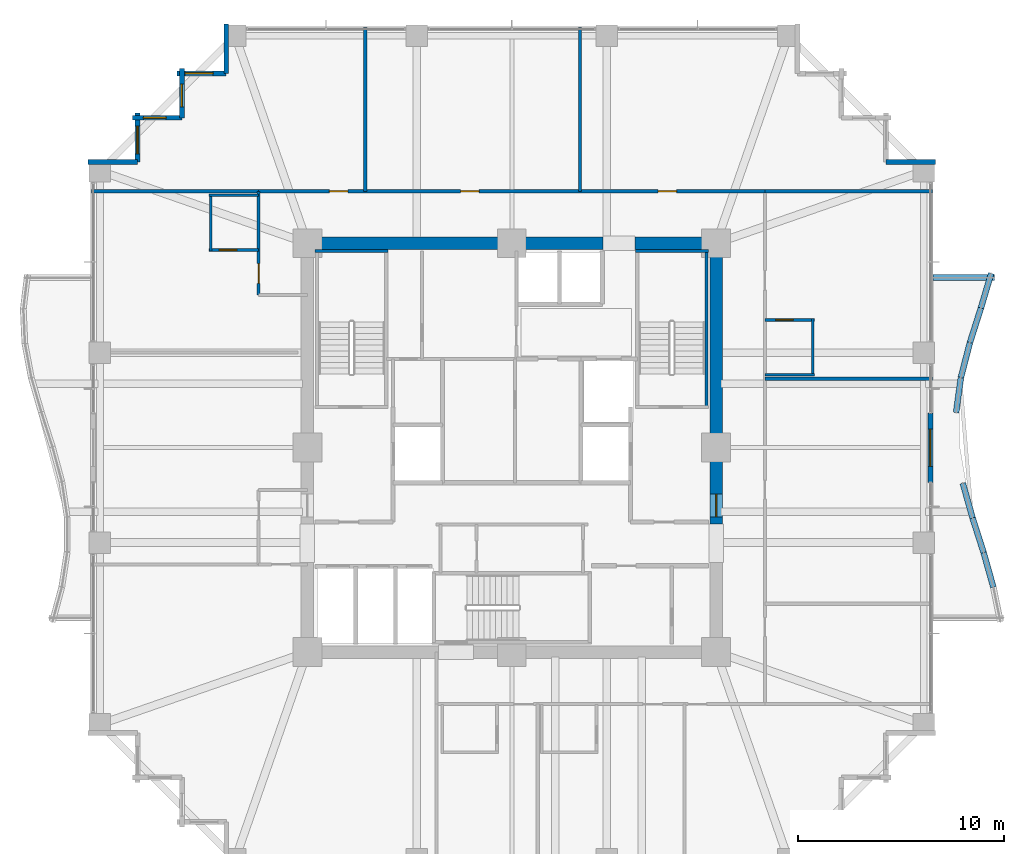
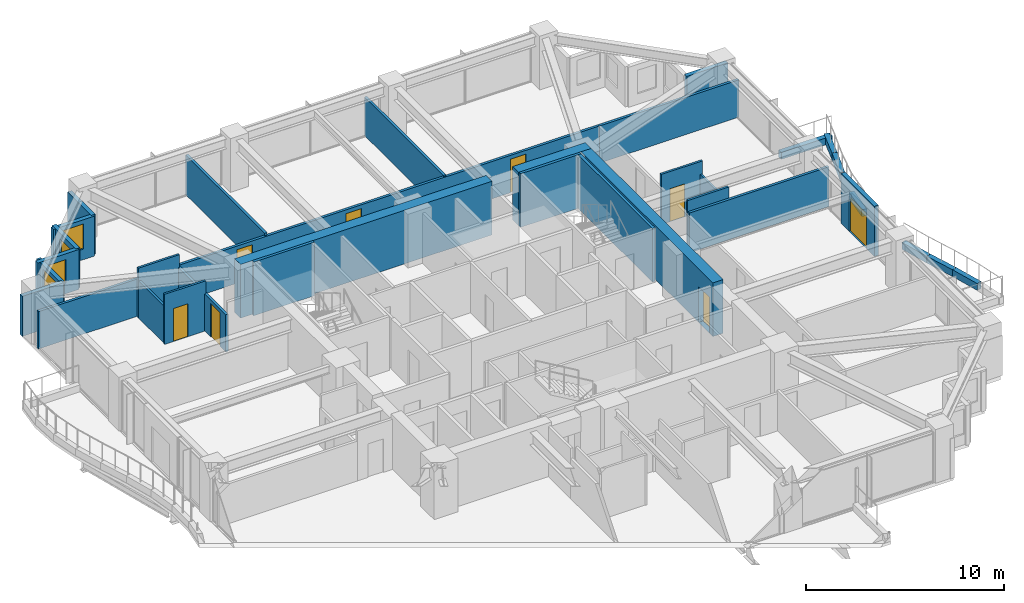
# One storey, part 34 of 38: 35 walls, 8 doors, 4 windows, 12 openings.
"""IFC4 building model written with IfcOpenShell, lengths in metres."""

from ifc_helpers import new_model, si_unit, direction, frame, frame_2d, origin, place, context, subcontext, project, spatial, rectangle, extrude, material, layer, layer_set, type_object, element, fill, save


model = new_model("IFC4")

# Units and contexts
model_context = context("Model", 3, precision=1e-05, world=origin(), true_north=direction((0.0, 1.0)))
body_context = subcontext(model_context, "Body", "Model", "MODEL_VIEW")
ifc_project = project(units=[si_unit("LENGTHUNIT", "METRE"), si_unit("AREAUNIT", "SQUARE_METRE"), si_unit("VOLUMEUNIT", "CUBIC_METRE"), si_unit("PLANEANGLEUNIT", "RADIAN"), si_unit("MASSUNIT", "GRAM", prefix="KILO")], contexts=[model_context])

# Site, building, storey
site_placement = place(None, origin())
site = spatial("IfcSite", under=ifc_project, at=site_placement, CompositionType="ELEMENT")
building_placement = place(site_placement, origin())
building = spatial("IfcBuilding", under=site, at=building_placement, Name="Kolvaren Belvedere", CompositionType="ELEMENT")
storey_placement = place(building_placement, frame((0.0, 0.0, 101.89990234375)))
storey = spatial("IfcBuildingStorey", under=building, at=storey_placement, Name="L29", CompositionType="ELEMENT", Elevation=101.89990234375)

# Walls
ifc_material_1 = material(Name="Concrete C60/75", Category="concrete")
ifc_layer_1 = layer(ifc_material_1, 0.60009765625)
ifc_layer_set_1 = layer_set([ifc_layer_1], Name="Concrete C60/75")
wall_type_1 = type_object("IfcWallType", Name="CW-CORE-600", PredefinedType="SHEAR", material=ifc_layer_set_1)
wall_1_placement = place(storey_placement, frame((-10.199951171875, 9.89990234375, 0.0), z_axis=(0.0, 0.0, 1.0), x_axis=(1.0, 0.0, 0.0)))
element("IfcWall", 1, at=wall_1_placement, inside=storey, type_object=wall_type_1, Name="L29 North Core Shear Wall 1", PredefinedType="SHEAR", context=body_context, shape_type="SweptSolid", body=[
    extrude(rectangle(XDim=14.619873046875, YDim=0.60009765625, at=frame_2d((7.31005859375, 0.0))), origin(), (0.0, 0.0, 1.0), 3.300048828125),
])
wall_2_placement = place(storey_placement, frame((5.97998046875, 9.89990234375, 0.0), z_axis=(0.0, 0.0, 1.0), x_axis=(1.0, 0.0, 0.0)))
element("IfcWall", 2, at=wall_2_placement, inside=storey, type_object=wall_type_1, Name="L29 North Core Shear Wall 2", PredefinedType="SHEAR", context=body_context, shape_type="SweptSolid", body=[
    extrude(rectangle(XDim=4.219970703125, YDim=0.60009765625, at=frame_2d((2.10986328125, 0.0))), origin(), (0.0, 0.0, 1.0), 3.300048828125),
])

# Wall, opening, door
wall_3_placement = place(storey_placement, frame((9.89990234375, -3.699951171875, 0.0), z_axis=(0.0, 0.0, 1.0), x_axis=(0.0, 1.0, 0.0)))
wall_3 = element("IfcWall", 3, at=wall_3_placement, inside=storey, type_object=wall_type_1, Name="L29 East Core Shear Wall 2", PredefinedType="SHEAR", context=body_context, shape_type="SweptSolid", body=[
    extrude(rectangle(XDim=13.300048828125, YDim=0.60009765625, at=frame_2d((6.64990234375, 0.0))), origin(), (0.0, 0.0, 1.0), 3.300048828125),
])
opening_1_placement = place(wall_3_placement, frame((0.35009765625, 0.0, 0.0)))
opening_1 = element("IfcOpeningElement", 4, at=opening_1_placement, cuts=wall_3, Name="Opening D-FD90", PredefinedType="OPENING", context=body_context, shape_type="SweptSolid", body=[
    extrude(rectangle(XDim=1.10009765625, YDim=2.199951171875, at=frame_2d((0.550048828125, 1.10009765625))), frame((0.0, 0.31005859375, 0.0), z_axis=(0.0, -1.0, 0.0), x_axis=(1.0, 0.0, 0.0)), (0.0, 0.0, 1.0), 0.6201171875),
])
ifc_material_2 = material(Name="Painted hollow stainless steel", Category="steel")
door_type_1 = type_object("IfcDoorType", Name="DR-FD90-1100", OperationType="NOTDEFINED", PredefinedType="DOOR", material=ifc_material_2)
door_1_placement = place(opening_1_placement, origin())
door_1 = element("IfcDoor", 5, at=door_1_placement, inside=storey, type_object=door_type_1, Name="L29 East Firefighting Lobby Fire Door", OperationType="SINGLE_SWING_RIGHT", OverallHeight=2.199951171875, OverallWidth=1.10009765625, PredefinedType="DOOR", context=body_context, shape_type="SweptSolid", body=[
    extrude(rectangle(XDim=1.10009765625, YDim=2.199951171875, at=frame_2d((0.550048828125, 1.10009765625))), frame((0.0, 0.02490234375, 0.0), z_axis=(0.0, -1.0, 0.0), x_axis=(1.0, 0.0, 0.0)), (0.0, 0.0, 1.0), 0.050048828125),
])
fill(opening_1, door_1)

# Walls
ifc_material_3 = material(Name="Concrete C50/60", Category="concrete")
ifc_layer_2 = layer(ifc_material_3, 0.159912109375)
ifc_layer_set_2 = layer_set([ifc_layer_2], Name="Concrete C50/60")
wall_type_2 = type_object("IfcWallType", Name="CW-STAIR-160", PredefinedType="SHEAR", material=ifc_layer_set_2)
for number, where, z_axis, x_axis, name in (
    (6, (-9.52001953125, 9.530029296875, 0.0), (0.0, 0.0, 1.0), (1.0, 0.0, 0.0), "L29 Stair ST-1 North Shear Wall"),
    (7, (6.0, 9.530029296875, 0.0), (0.0, 0.0, 1.0), (1.0, 0.0, 0.0), "L29 Stair ST-2 North Shear Wall"),
):
    element("IfcWall", number, at=place(storey_placement, frame(where, z_axis=z_axis, x_axis=x_axis)), inside=storey, type_object=wall_type_2, Name=name, PredefinedType="SHEAR", context=body_context, shape_type="SweptSolid", body=[
        extrude(rectangle(XDim=3.52001953125, YDim=0.159912109375, at=frame_2d((1.760009765625, 0.0))), origin(), (0.0, 0.0, 1.0), 3.300048828125),
    ])
wall_4_placement = place(storey_placement, frame((9.429931640625, 1.969970703125, 0.0), z_axis=(0.0, 0.0, 1.0), x_axis=(0.0, 1.0, 0.0)))
element("IfcWall", 8, at=wall_4_placement, inside=storey, type_object=wall_type_2, Name="L29 Stair ST-2 East Shear Wall", PredefinedType="SHEAR", context=body_context, shape_type="SweptSolid", body=[
    extrude(rectangle(XDim=7.56005859375, YDim=0.159912109375, at=frame_2d((3.780029296875, 0.0))), origin(), (0.0, 0.0, 1.0), 3.300048828125),
])

# Wall, openings, doors
ifc_material_4 = material(Name="Gypsum fire-rated partition assembly", Category="gypsum")
ifc_layer_3 = layer(ifc_material_4, 0.14990234375)
ifc_layer_set_3 = layer_set([ifc_layer_3], Name="Gypsum fire-rated partition assembly")
wall_type_3 = type_object("IfcWallType", Name="WL-CORR-150", PredefinedType="PARTITIONING", material=ifc_layer_set_3)
wall_5_placement = place(storey_placement, frame((-12.260009765625, 12.419921875, 0.0), z_axis=(0.0, 0.0, 1.0), x_axis=(1.0, 0.0, 0.0)))
wall_5 = element("IfcWall", 9, at=wall_5_placement, inside=storey, type_object=wall_type_3, Name="L29 North Corridor Wall", PredefinedType="PARTITIONING", context=body_context, shape_type="SweptSolid", body=[
    extrude(rectangle(XDim=24.52001953125, YDim=0.14990234375, at=frame_2d((12.260009765625, 0.0))), origin(), (0.0, 0.0, 1.0), 2.2919921875),
])
opening_2_placement = place(wall_5_placement, frame((3.427001953125, 0.0, 0.0)))
opening_2 = element("IfcOpeningElement", 10, at=opening_2_placement, cuts=wall_5, Name="Opening D-INT90", PredefinedType="OPENING", context=body_context, shape_type="SweptSolid", body=[
    extrude(rectangle(XDim=0.89990234375, YDim=2.06005859375, at=frame_2d((0.449951171875, 1.030029296875))), frame((0.0, 0.0849609375, 0.0), z_axis=(0.0, -1.0, 0.0), x_axis=(1.0, 0.0, 0.0)), (0.0, 0.0, 1.0), 0.169921875),
])
opening_3_placement = place(wall_5_placement, frame((9.780029296875, 0.0, 0.0)))
opening_3 = element("IfcOpeningElement", 11, at=opening_3_placement, cuts=wall_5, Name="Opening D-INT90", PredefinedType="OPENING", context=body_context, shape_type="SweptSolid", body=[
    extrude(rectangle(XDim=0.89990234375, YDim=2.06005859375, at=frame_2d((0.449951171875, 1.030029296875))), frame((0.0, 0.0849609375, 0.0), z_axis=(0.0, -1.0, 0.0), x_axis=(1.0, 0.0, 0.0)), (0.0, 0.0, 1.0), 0.169921875),
])
opening_4_placement = place(wall_5_placement, frame((19.344970703125, 0.0, 0.0)))
opening_4 = element("IfcOpeningElement", 12, at=opening_4_placement, cuts=wall_5, Name="Opening D-INT90", PredefinedType="OPENING", context=body_context, shape_type="SweptSolid", body=[
    extrude(rectangle(XDim=0.89990234375, YDim=2.06005859375, at=frame_2d((0.449951171875, 1.030029296875))), frame((0.0, 0.0849609375, 0.0), z_axis=(0.0, -1.0, 0.0), x_axis=(1.0, 0.0, 0.0)), (0.0, 0.0, 1.0), 0.169921875),
])
ifc_material_5 = material(Name="Stained Pacific white oak", Category="timber")
door_type_2 = type_object("IfcDoorType", Name="DR-INT-900", OperationType="NOTDEFINED", PredefinedType="DOOR", material=ifc_material_5)
door_2_placement = place(opening_2_placement, origin())
door_2 = element("IfcDoor", 13, at=door_2_placement, inside=storey, type_object=door_type_2, Name="L29 Guest Tea & Espresso Kitchen 2901 Door", OperationType="SINGLE_SWING_RIGHT", OverallHeight=2.06005859375, OverallWidth=0.89990234375, PredefinedType="DOOR", context=body_context, shape_type="SweptSolid", body=[
    extrude(rectangle(XDim=0.89990234375, YDim=2.06005859375, at=frame_2d((0.449951171875, 1.030029296875))), frame((0.0, 0.02490234375, 0.0), z_axis=(0.0, -1.0, 0.0), x_axis=(1.0, 0.0, 0.0)), (0.0, 0.0, 1.0), 0.050048828125),
])
fill(opening_2, door_2)
door_3_placement = place(opening_3_placement, origin())
door_3 = element("IfcDoor", 14, at=door_3_placement, inside=storey, type_object=door_type_2, Name="L29 Wellness Yoga & Reading Gym 2902 Door", OperationType="SINGLE_SWING_LEFT", OverallHeight=2.06005859375, OverallWidth=0.89990234375, PredefinedType="DOOR", context=body_context, shape_type="SweptSolid", body=[
    extrude(rectangle(XDim=0.89990234375, YDim=2.06005859375, at=frame_2d((0.449951171875, 1.030029296875))), frame((0.0, 0.02490234375, 0.0), z_axis=(0.0, -1.0, 0.0), x_axis=(1.0, 0.0, 0.0)), (0.0, 0.0, 1.0), 0.050048828125),
])
fill(opening_3, door_3)
door_4_placement = place(opening_4_placement, origin())
door_4 = element("IfcDoor", 15, at=door_4_placement, inside=storey, type_object=door_type_2, Name="L29 Lounge 2903 Door", OperationType="SINGLE_SWING_RIGHT", OverallHeight=2.06005859375, OverallWidth=0.89990234375, PredefinedType="DOOR", context=body_context, shape_type="SweptSolid", body=[
    extrude(rectangle(XDim=0.89990234375, YDim=2.06005859375, at=frame_2d((0.449951171875, 1.030029296875))), frame((0.0, 0.02490234375, 0.0), z_axis=(0.0, -1.0, 0.0), x_axis=(1.0, 0.0, 0.0)), (0.0, 0.0, 1.0), 0.050048828125),
])
fill(opening_4, door_4)

# Wall, opening, door
wall_6_placement = place(storey_placement, frame((-12.260009765625, 7.39990234375, 0.0), z_axis=(0.0, 0.0, 1.0), x_axis=(0.0, 1.0, 0.0)))
wall_6 = element("IfcWall", 16, at=wall_6_placement, inside=storey, type_object=wall_type_3, Name="L29 NW Corridor End Wall", PredefinedType="PARTITIONING", context=body_context, shape_type="SweptSolid", body=[
    extrude(rectangle(XDim=5.02001953125, YDim=0.14990234375, at=frame_2d((2.510009765625, 0.0))), origin(), (0.0, 0.0, 1.0), 2.2919921875),
])
opening_5_placement = place(wall_6_placement, frame((0.563720703125, 0.0, 0.0)))
opening_5 = element("IfcOpeningElement", 17, at=opening_5_placement, cuts=wall_6, Name="Opening D-FD60", PredefinedType="OPENING", context=body_context, shape_type="SweptSolid", body=[
    extrude(rectangle(XDim=0.949951171875, YDim=2.06005859375, at=frame_2d((0.47509765625, 1.030029296875))), frame((0.0, 0.0849609375, 0.0), z_axis=(0.0, -1.0, 0.0), x_axis=(1.0, 0.0, 0.0)), (0.0, 0.0, 1.0), 0.169921875),
])
ifc_material_6 = material(Name="Acoustic white-oak fire door leaf", Category="timber")
door_type_3 = type_object("IfcDoorType", Name="DR-FD60-950", OperationType="NOTDEFINED", PredefinedType="DOOR", material=ifc_material_6)
door_5_placement = place(opening_5_placement, origin())
door_5 = element("IfcDoor", 18, at=door_5_placement, inside=storey, type_object=door_type_3, Name="L29 Botanical Hospitality Suite 2907 Entry Door", OperationType="SINGLE_SWING_RIGHT", OverallHeight=2.06005859375, OverallWidth=0.949951171875, PredefinedType="DOOR", context=body_context, shape_type="SweptSolid", body=[
    extrude(rectangle(XDim=0.949951171875, YDim=2.06005859375, at=frame_2d((0.47509765625, 1.030029296875))), frame((0.0, 0.02490234375, 0.0), z_axis=(0.0, -1.0, 0.0), x_axis=(1.0, 0.0, 0.0)), (0.0, 0.0, 1.0), 0.050048828125),
])
fill(opening_5, door_5)

ifc_material_7 = material(Name="Insulated pale-metal facade wall assembly", Category="aluminium")
ifc_layer_4 = layer(ifc_material_7, 0.239990234375)
ifc_layer_set_4 = layer_set([ifc_layer_4], Name="Insulated pale-metal facade wall assembly")
wall_type_4 = type_object("IfcWallType", Name="WL-EXT-240", PredefinedType="STANDARD", material=ifc_layer_set_4)
wall_7_placement = place(storey_placement, frame((20.280029296875, 1.679931640625, 0.0), z_axis=(0.0, 0.0, 1.0), x_axis=(0.0, -1.0, 0.0)))
wall_7 = element("IfcWall", 19, at=wall_7_placement, inside=storey, type_object=wall_type_4, Name="L29 East Terrace Portal Wall", PredefinedType="STANDARD", context=body_context, shape_type="SweptSolid", body=[
    extrude(rectangle(XDim=3.35986328125, YDim=0.239990234375, at=frame_2d((1.679931640625, 0.0))), origin(), (0.0, 0.0, 1.0), 3.080078125),
])
opening_6_placement = place(wall_7_placement, frame((0.780029296875, 0.0, 0.0)))
opening_6 = element("IfcOpeningElement", 20, at=opening_6_placement, cuts=wall_7, Name="Opening DB-1800", PredefinedType="OPENING", context=body_context, shape_type="SweptSolid", body=[
    extrude(rectangle(XDim=1.800048828125, YDim=2.199951171875, at=frame_2d((0.89990234375, 1.10009765625))), frame((0.0, 0.1298828125, 0.0), z_axis=(0.0, -1.0, 0.0), x_axis=(1.0, 0.0, 0.0)), (0.0, 0.0, 1.0), 0.260009765625),
])
ifc_material_8 = material(Name="Thermally broken pale-metal aluminium & low-iron glass", Category="aluminium")
door_type_4 = type_object("IfcDoorType", Name="DR-BAL-1800", OperationType="DOUBLE_DOOR_SLIDING", PredefinedType="DOOR", material=ifc_material_8)
door_6_placement = place(opening_6_placement, origin())
door_6 = element("IfcDoor", 21, at=door_6_placement, inside=storey, type_object=door_type_4, Name="L29 East Planted Terrace Sliding Door", OperationType="DOUBLE_DOOR_SLIDING", OverallHeight=2.199951171875, OverallWidth=1.800048828125, PredefinedType="DOOR", context=body_context, shape_type="SweptSolid", body=[
    extrude(rectangle(XDim=1.800048828125, YDim=2.199951171875, at=frame_2d((0.89990234375, 1.10009765625))), frame((0.0, 0.02490234375, 0.0), z_axis=(0.0, -1.0, 0.0), x_axis=(1.0, 0.0, 0.0)), (0.0, 0.0, 1.0), 0.050048828125),
])
fill(opening_6, door_6)

# Walls
for number, where, z_axis, x_axis, name in (
    (22, (18.1298828125, 13.830078125, 0.0), (0.0, 0.0, 1.0), (1.0, 0.0, 0.0), "L29 Serrated Corner Facade Wall 9"),
    (23, (-13.830078125, 18.1298828125, 0.0), (0.0, 0.0, 1.0), (0.0, 1.0, 0.0), "L29 Serrated Corner Facade Wall 16"),
):
    element("IfcWall", number, at=place(storey_placement, frame(where, z_axis=z_axis, x_axis=x_axis)), inside=storey, type_object=wall_type_4, Name=name, PredefinedType="STANDARD", context=body_context, shape_type="SweptSolid", body=[
        extrude(rectangle(XDim=2.39013671875, YDim=0.239990234375, at=frame_2d((1.195068359375, 0.0))), origin(), (0.0, 0.0, 1.0), 2.458984375),
    ])

# Wall, opening, window
wall_8_placement = place(storey_placement, frame((-16.219970703125, 18.1298828125, 0.0), z_axis=(0.0, 0.0, 1.0), x_axis=(1.0, 0.0, 0.0)))
wall_8 = element("IfcWall", 24, at=wall_8_placement, inside=storey, type_object=wall_type_4, Name="L29 Serrated Corner Facade Wall 17", PredefinedType="STANDARD", context=body_context, shape_type="SweptSolid", body=[
    extrude(rectangle(XDim=2.389892578125, YDim=0.239990234375, at=frame_2d((1.19482421875, 0.0))), origin(), (0.0, 0.0, 1.0), 2.458984375),
])
opening_7_placement = place(wall_8_placement, frame((0.39990234375, 0.0, 0.64990234375)))
opening_7 = element("IfcOpeningElement", 25, at=opening_7_placement, cuts=wall_8, Name="Opening W-1350", PredefinedType="OPENING", context=body_context, shape_type="SweptSolid", body=[
    extrude(rectangle(XDim=1.35009765625, YDim=1.550048828125, at=frame_2d((0.675048828125, 0.77490234375))), frame((0.0, 0.1298828125, 0.0), z_axis=(0.0, -1.0, 0.0), x_axis=(1.0, 0.0, 0.0)), (0.0, 0.0, 1.0), 0.260009765625),
])
ifc_material_9 = material(Name="Low-iron triple insulated glass", Category="glass")
window_type_1 = type_object("IfcWindowType", Name="WN-CORN-1350", PartitioningType="SINGLE_PANEL", PredefinedType="WINDOW", material=ifc_material_9)
window_1_placement = place(opening_7_placement, origin())
window_1 = element("IfcWindow", 26, at=window_1_placement, inside=storey, type_object=window_type_1, Name="L29 Serrated Corner Vision Window 17", OverallHeight=1.550048828125, OverallWidth=1.35009765625, PartitioningType="SINGLE_PANEL", PredefinedType="WINDOW", context=body_context, shape_type="SweptSolid", body=[
    extrude(rectangle(XDim=1.35009765625, YDim=1.550048828125, at=frame_2d((0.675048828125, 0.77490234375))), frame((0.0, 0.030029296875, 0.0), z_axis=(0.0, -1.0, 0.0), x_axis=(1.0, 0.0, 0.0)), (0.0, 0.0, 1.0), 0.06005859375),
])
fill(opening_7, window_1)

wall_9_placement = place(storey_placement, frame((-15.97998046875, 15.97998046875, 0.0), z_axis=(0.0, 0.0, 1.0), x_axis=(0.0, 1.0, 0.0)))
wall_9 = element("IfcWall", 27, at=wall_9_placement, inside=storey, type_object=wall_type_4, Name="L29 Serrated Corner Facade Wall 18", PredefinedType="STANDARD", context=body_context, shape_type="SweptSolid", body=[
    extrude(rectangle(XDim=2.39013671875, YDim=0.239990234375, at=frame_2d((1.195068359375, 0.0))), origin(), (0.0, 0.0, 1.0), 2.458984375),
])
opening_8_placement = place(wall_9_placement, frame((0.52490234375, 0.0, 0.64990234375)))
opening_8 = element("IfcOpeningElement", 28, at=opening_8_placement, cuts=wall_9, Name="Opening W-1100", PredefinedType="OPENING", context=body_context, shape_type="SweptSolid", body=[
    extrude(rectangle(XDim=1.10009765625, YDim=1.449951171875, at=frame_2d((0.550048828125, 0.72509765625))), frame((0.0, 0.1298828125, 0.0), z_axis=(0.0, -1.0, 0.0), x_axis=(1.0, 0.0, 0.0)), (0.0, 0.0, 1.0), 0.260009765625),
])
ifc_material_10 = material(Name="Low-iron triple insulated glass", Category="glass")
window_type_2 = type_object("IfcWindowType", Name="WN-CORN-1100", PartitioningType="SINGLE_PANEL", PredefinedType="WINDOW", material=ifc_material_10)
window_2_placement = place(opening_8_placement, origin())
window_2 = element("IfcWindow", 29, at=window_2_placement, inside=storey, type_object=window_type_2, Name="L29 Serrated Corner Vision Window 18", OverallHeight=1.449951171875, OverallWidth=1.10009765625, PartitioningType="SINGLE_PANEL", PredefinedType="WINDOW", context=body_context, shape_type="SweptSolid", body=[
    extrude(rectangle(XDim=1.10009765625, YDim=1.449951171875, at=frame_2d((0.550048828125, 0.72509765625))), frame((0.0, 0.030029296875, 0.0), z_axis=(0.0, -1.0, 0.0), x_axis=(1.0, 0.0, 0.0)), (0.0, 0.0, 1.0), 0.06005859375),
])
fill(opening_8, window_2)

wall_10_placement = place(storey_placement, frame((-18.3701171875, 15.97998046875, 0.0), z_axis=(0.0, 0.0, 1.0), x_axis=(1.0, 0.0, 0.0)))
wall_10 = element("IfcWall", 30, at=wall_10_placement, inside=storey, type_object=wall_type_4, Name="L29 Serrated Corner Facade Wall 19", PredefinedType="STANDARD", context=body_context, shape_type="SweptSolid", body=[
    extrude(rectangle(XDim=2.39013671875, YDim=0.239990234375, at=frame_2d((1.195068359375, 0.0))), origin(), (0.0, 0.0, 1.0), 2.458984375),
])
opening_9_placement = place(wall_10_placement, frame((0.52490234375, 0.0, 0.64990234375)))
opening_9 = element("IfcOpeningElement", 31, at=opening_9_placement, cuts=wall_10, Name="Opening W-1100", PredefinedType="OPENING", context=body_context, shape_type="SweptSolid", body=[
    extrude(rectangle(XDim=1.10009765625, YDim=1.449951171875, at=frame_2d((0.550048828125, 0.72509765625))), frame((0.0, 0.1298828125, 0.0), z_axis=(0.0, -1.0, 0.0), x_axis=(1.0, 0.0, 0.0)), (0.0, 0.0, 1.0), 0.260009765625),
])
window_3_placement = place(opening_9_placement, origin())
window_3 = element("IfcWindow", 32, at=window_3_placement, inside=storey, type_object=window_type_2, Name="L29 Serrated Corner Vision Window 19", OverallHeight=1.449951171875, OverallWidth=1.10009765625, PartitioningType="SINGLE_PANEL", PredefinedType="WINDOW", context=body_context, shape_type="SweptSolid", body=[
    extrude(rectangle(XDim=1.10009765625, YDim=1.449951171875, at=frame_2d((0.550048828125, 0.72509765625))), frame((0.0, 0.030029296875, 0.0), z_axis=(0.0, -1.0, 0.0), x_axis=(1.0, 0.0, 0.0)), (0.0, 0.0, 1.0), 0.06005859375),
])
fill(opening_9, window_3)

wall_11_placement = place(storey_placement, frame((-18.1298828125, 13.830078125, 0.0), z_axis=(0.0, 0.0, 1.0), x_axis=(0.0, 1.0, 0.0)))
wall_11 = element("IfcWall", 33, at=wall_11_placement, inside=storey, type_object=wall_type_4, Name="L29 Serrated Corner Facade Wall 20", PredefinedType="STANDARD", context=body_context, shape_type="SweptSolid", body=[
    extrude(rectangle(XDim=2.389892578125, YDim=0.239990234375, at=frame_2d((1.19482421875, 0.0))), origin(), (0.0, 0.0, 1.0), 2.458984375),
])
opening_10_placement = place(wall_11_placement, frame((0.39990234375, 0.0, 0.64990234375)))
opening_10 = element("IfcOpeningElement", 34, at=opening_10_placement, cuts=wall_11, Name="Opening W-1350", PredefinedType="OPENING", context=body_context, shape_type="SweptSolid", body=[
    extrude(rectangle(XDim=1.35009765625, YDim=1.550048828125, at=frame_2d((0.675048828125, 0.77490234375))), frame((0.0, 0.1298828125, 0.0), z_axis=(0.0, -1.0, 0.0), x_axis=(1.0, 0.0, 0.0)), (0.0, 0.0, 1.0), 0.260009765625),
])
window_4_placement = place(opening_10_placement, origin())
window_4 = element("IfcWindow", 35, at=window_4_placement, inside=storey, type_object=window_type_1, Name="L29 Serrated Corner Vision Window 20", OverallHeight=1.550048828125, OverallWidth=1.35009765625, PartitioningType="SINGLE_PANEL", PredefinedType="WINDOW", context=body_context, shape_type="SweptSolid", body=[
    extrude(rectangle(XDim=1.35009765625, YDim=1.550048828125, at=frame_2d((0.675048828125, 0.77490234375))), frame((0.0, 0.030029296875, 0.0), z_axis=(0.0, -1.0, 0.0), x_axis=(1.0, 0.0, 0.0)), (0.0, 0.0, 1.0), 0.06005859375),
])
fill(opening_10, window_4)

# Walls
wall_12_placement = place(storey_placement, frame((-20.52001953125, 13.830078125, 0.0), z_axis=(0.0, 0.0, 1.0), x_axis=(1.0, 0.0, 0.0)))
element("IfcWall", 36, at=wall_12_placement, inside=storey, type_object=wall_type_4, Name="L29 Serrated Corner Facade Wall 21", PredefinedType="STANDARD", context=body_context, shape_type="SweptSolid", body=[
    extrude(rectangle(XDim=2.39013671875, YDim=0.239990234375, at=frame_2d((1.195068359375, 0.0))), origin(), (0.0, 0.0, 1.0), 2.458984375),
])
ifc_material_11 = material(Name="Gypsum acoustic partition assembly", Category="gypsum")
ifc_layer_5 = layer(ifc_material_11, 0.14990234375)
ifc_layer_set_5 = layer_set([ifc_layer_5], Name="Gypsum acoustic partition assembly")
wall_type_5 = type_object("IfcWallType", Name="WL-PART-150", PredefinedType="PARTITIONING", material=ifc_layer_set_5)
for number, where, z_axis, x_axis, name in (
    (37, (-20.3798828125, 12.419921875, 0.0), (0.0, 0.0, 1.0), (1.0, 0.0, 0.0), "L29 Wing Divider PW-L29-QNW"),
    (38, (12.260009765625, 12.419921875, 0.0), (0.0, 0.0, 1.0), (1.0, 0.0, 0.0), "L29 Wing Divider PW-L29-QNE"),
):
    element("IfcWall", number, at=place(storey_placement, frame(where, z_axis=z_axis, x_axis=x_axis)), inside=storey, type_object=wall_type_5, Name=name, PredefinedType="PARTITIONING", context=body_context, shape_type="SweptSolid", body=[
        extrude(rectangle(XDim=8.119873046875, YDim=0.14990234375, at=frame_2d((4.06005859375, 0.0))), origin(), (0.0, 0.0, 1.0), 2.2919921875),
    ])
wall_13_placement = place(storey_placement, frame((-7.095947265625, 12.419921875, 0.0), z_axis=(0.0, 0.0, 1.0), x_axis=(0.0, 1.0, 0.0)))
element("IfcWall", 39, at=wall_13_placement, inside=storey, type_object=wall_type_5, Name="L29 North Suite Demising Wall 1", PredefinedType="PARTITIONING", context=body_context, shape_type="SweptSolid", body=[
    extrude(rectangle(XDim=7.9599609375, YDim=0.14990234375, at=frame_2d((3.97998046875, 0.0))), origin(), (0.0, 0.0, 1.0), 2.44921875),
])
wall_14_placement = place(storey_placement, frame((3.303955078125, 12.419921875, 0.0), z_axis=(0.0, 0.0, 1.0), x_axis=(0.0, 1.0, 0.0)))
element("IfcWall", 40, at=wall_14_placement, inside=storey, type_object=wall_type_5, Name="L29 North Suite Demising Wall 2", PredefinedType="PARTITIONING", context=body_context, shape_type="SweptSolid", body=[
    extrude(rectangle(XDim=7.9599609375, YDim=0.14990234375, at=frame_2d((3.97998046875, 0.0))), origin(), (0.0, 0.0, 1.0), 2.369140625),
])
wall_15_placement = place(storey_placement, frame((12.260009765625, 3.340087890625, 0.0), z_axis=(0.0, 0.0, 1.0), x_axis=(1.0, 0.0, 0.0)))
element("IfcWall", 41, at=wall_15_placement, inside=storey, type_object=wall_type_5, Name="L29 East Suite Demising Wall 2", PredefinedType="PARTITIONING", context=body_context, shape_type="SweptSolid", body=[
    extrude(rectangle(XDim=8.119873046875, YDim=0.14990234375, at=frame_2d((4.06005859375, 0.0))), origin(), (0.0, 0.0, 1.0), 2.44921875),
])
ifc_material_12 = material(Name="Precast concrete C40/50", Category="concrete")
ifc_layer_6 = layer(ifc_material_12, 0.300048828125)
ifc_layer_set_6 = layer_set([ifc_layer_6], Name="Precast concrete C40/50")
wall_type_6 = type_object("IfcWallType", Name="WL-PLANTER-300", PredefinedType="PARAPET", material=ifc_layer_set_6)
wall_16_placement = place(storey_placement, frame((23.3251953125, -6.76318359375, -0.039794921875), z_axis=(0.0, 0.0, 1.0), x_axis=(-0.269801210823, 0.962916043401, 0.0)))
element("IfcWall", 42, at=wall_16_placement, inside=storey, type_object=wall_type_6, Name="L29 Precast Structural Planter Wall BAL-E-2", PredefinedType="PARAPET", context=body_context, shape_type="SweptSolid", body=[
    extrude(rectangle(XDim=1.74462890625, YDim=0.280029296875, at=frame_2d((0.872314453125, 0.0))), origin(), (0.0, 0.0, 1.0), 0.419921875),
])
wall_17_placement = place(storey_placement, frame((22.856201171875, -5.088623046875, -0.039794921875), z_axis=(0.0, 0.0, 1.0), x_axis=(-0.304534629099, 0.952501264923, 0.0)))
element("IfcWall", 43, at=wall_17_placement, inside=storey, type_object=wall_type_6, Name="L29 Precast Structural Planter Wall BAL-E-3", PredefinedType="PARAPET", context=body_context, shape_type="SweptSolid", body=[
    extrude(rectangle(XDim=1.763671875, YDim=0.280029296875, at=frame_2d((0.8818359375, 0.0))), origin(), (0.0, 0.0, 1.0), 0.419921875),
])
wall_18_placement = place(storey_placement, frame((22.3173828125, -3.4033203125, -0.039794921875), z_axis=(0.0, 0.0, 1.0), x_axis=(-0.269764860108, 0.962926227834, 0.0)))
element("IfcWall", 44, at=wall_18_placement, inside=storey, type_object=wall_type_6, Name="L29 Precast Structural Planter Wall BAL-E-4", PredefinedType="PARAPET", context=body_context, shape_type="SweptSolid", body=[
    extrude(rectangle(XDim=1.744873046875, YDim=0.280029296875, at=frame_2d((0.87255859375, 0.0))), origin(), (0.0, 0.0, 1.0), 0.419921875),
])
wall_19_placement = place(storey_placement, frame((21.5205078125, 1.70166015625, -0.039794921875), z_axis=(0.0, 0.0, 1.0), x_axis=(0.134926850989, 0.990855562068, 0.0)))
element("IfcWall", 45, at=wall_19_placement, inside=storey, type_object=wall_type_6, Name="L29 Precast Structural Planter Wall BAL-E-7", PredefinedType="PARAPET", context=body_context, shape_type="SweptSolid", body=[
    extrude(rectangle(XDim=1.695556640625, YDim=0.280029296875, at=frame_2d((0.84765625, 0.0))), origin(), (0.0, 0.0, 1.0), 0.419921875),
])
wall_20_placement = place(storey_placement, frame((21.7529296875, 3.400146484375, -0.039794921875), z_axis=(0.0, 0.0, 1.0), x_axis=(0.250439664624, 0.968132209145, 0.0)))
element("IfcWall", 46, at=wall_20_placement, inside=storey, type_object=wall_type_6, Name="L29 Precast Structural Planter Wall BAL-E-8", PredefinedType="PARAPET", context=body_context, shape_type="SweptSolid", body=[
    extrude(rectangle(XDim=1.7353515625, YDim=0.280029296875, at=frame_2d((0.86767578125, 0.0))), origin(), (0.0, 0.0, 1.0), 0.419921875),
])
wall_21_placement = place(storey_placement, frame((22.18994140625, 5.08837890625, -0.039794921875), z_axis=(0.0, 0.0, 1.0), x_axis=(0.302397356111, 0.953181954832, 0.0)))
element("IfcWall", 47, at=wall_21_placement, inside=storey, type_object=wall_type_6, Name="L29 Precast Structural Planter Wall BAL-E-9", PredefinedType="PARAPET", context=body_context, shape_type="SweptSolid", body=[
    extrude(rectangle(XDim=1.762451171875, YDim=0.280029296875, at=frame_2d((0.88134765625, 0.0))), origin(), (0.0, 0.0, 1.0), 0.419921875),
])
wall_22_placement = place(storey_placement, frame((22.721923828125, 6.765625, -0.039794921875), z_axis=(0.0, 0.0, 1.0), x_axis=(0.28500831833, 0.958525043221, 0.0)))
element("IfcWall", 48, at=wall_22_placement, inside=storey, type_object=wall_type_6, Name="L29 Precast Structural Planter Wall BAL-E-10", PredefinedType="PARAPET", context=body_context, shape_type="SweptSolid", body=[
    extrude(rectangle(XDim=1.752685546875, YDim=0.280029296875, at=frame_2d((0.87646484375, 0.0))), origin(), (0.0, 0.0, 1.0), 0.419921875),
])
wall_23_placement = place(storey_placement, frame((23.374755859375, 8.239990234375, -0.039794921875), z_axis=(0.0, 0.0, 1.0), x_axis=(-1.0, 0.0, 0.0)))
element("IfcWall", 49, at=wall_23_placement, inside=storey, type_object=wall_type_6, Name="L29 Precast Structural Planter Wall BAL-E-11", PredefinedType="PARAPET", context=body_context, shape_type="SweptSolid", body=[
    extrude(rectangle(XDim=2.974853515625, YDim=0.280029296875, at=frame_2d((1.4873046875, 0.0))), origin(), (0.0, 0.0, 1.0), 0.419921875),
])

# Wall, opening, door
ifc_material_13 = material(Name="Moisture-resistant gypsum partition", Category="gypsum")
ifc_layer_7 = layer(ifc_material_13, 0.125)
ifc_layer_set_7 = layer_set([ifc_layer_7], Name="Moisture-resistant gypsum partition")
wall_type_7 = type_object("IfcWallType", Name="WL-WET-125", PredefinedType="PARTITIONING", material=ifc_layer_set_7)
wall_24_placement = place(storey_placement, frame((12.27490234375, 6.18505859375, 0.0), z_axis=(0.0, 0.0, 1.0), x_axis=(1.0, 0.0, 0.0)))
wall_24 = element("IfcWall", 50, at=wall_24_placement, inside=storey, type_object=wall_type_7, Name="L29 Bathroom Partition PW-L29-BTH-6-N", PredefinedType="PARTITIONING", context=body_context, shape_type="SweptSolid", body=[
    extrude(rectangle(XDim=2.39013671875, YDim=0.125, at=frame_2d((1.195068359375, 0.0))), origin(), (0.0, 0.0, 1.0), 3.080078125),
])
opening_11_placement = place(wall_24_placement, frame((0.5, 0.0, 0.0)))
opening_11 = element("IfcOpeningElement", 51, at=opening_11_placement, cuts=wall_24, Name="Opening D-BTH85", PredefinedType="OPENING", context=body_context, shape_type="SweptSolid", body=[
    extrude(rectangle(XDim=0.85009765625, YDim=2.030029296875, at=frame_2d((0.425048828125, 1.01513671875))), frame((0.0, 0.072509765625, 0.0), z_axis=(0.0, -1.0, 0.0), x_axis=(1.0, 0.0, 0.0)), (0.0, 0.0, 1.0), 0.14501953125),
])
ifc_material_14 = material(Name="Moisture-sealed Pacific white oak", Category="timber")
door_type_5 = type_object("IfcDoorType", Name="DR-BATH-850", OperationType="NOTDEFINED", PredefinedType="DOOR", material=ifc_material_14)
door_7_placement = place(opening_11_placement, origin())
door_7 = element("IfcDoor", 52, at=door_7_placement, inside=storey, type_object=door_type_5, Name="L29 En-Suite Bathroom 2906 Door", OperationType="SINGLE_SWING_LEFT", OverallHeight=2.030029296875, OverallWidth=0.85009765625, PredefinedType="DOOR", context=body_context, shape_type="SweptSolid", body=[
    extrude(rectangle(XDim=0.85009765625, YDim=2.030029296875, at=frame_2d((0.425048828125, 1.01513671875))), frame((0.0, 0.02490234375, 0.0), z_axis=(0.0, -1.0, 0.0), x_axis=(1.0, 0.0, 0.0)), (0.0, 0.0, 1.0), 0.050048828125),
])
fill(opening_11, door_7)

# Walls
wall_25_placement = place(storey_placement, frame((14.5849609375, 3.47509765625, 0.0), z_axis=(0.0, 0.0, 1.0), x_axis=(0.0, 1.0, 0.0)))
element("IfcWall", 53, at=wall_25_placement, inside=storey, type_object=wall_type_7, Name="L29 Bathroom Partition PW-L29-BTH-6-V", PredefinedType="PARTITIONING", context=body_context, shape_type="SweptSolid", body=[
    extrude(rectangle(XDim=2.77001953125, YDim=0.125, at=frame_2d((1.385009765625, 0.0))), origin(), (0.0, 0.0, 1.0), 2.2919921875),
])
wall_26_placement = place(storey_placement, frame((12.27490234375, 3.534912109375, 0.0), z_axis=(0.0, 0.0, 1.0), x_axis=(1.0, 0.0, 0.0)))
element("IfcWall", 54, at=wall_26_placement, inside=storey, type_object=wall_type_7, Name="L29 Bathroom Partition PW-L29-BTH-6-S", PredefinedType="PARTITIONING", context=body_context, shape_type="SweptSolid", body=[
    extrude(rectangle(XDim=2.39013671875, YDim=0.125, at=frame_2d((1.195068359375, 0.0))), origin(), (0.0, 0.0, 1.0), 3.080078125),
])

# Wall, opening, door
wall_27_placement = place(storey_placement, frame((-14.6650390625, 9.574951171875, 0.0), z_axis=(0.0, 0.0, 1.0), x_axis=(1.0, 0.0, 0.0)))
wall_27 = element("IfcWall", 55, at=wall_27_placement, inside=storey, type_object=wall_type_7, Name="L29 Bathroom Partition PW-L29-BTH-7-N", PredefinedType="PARTITIONING", context=body_context, shape_type="SweptSolid", body=[
    extrude(rectangle(XDim=2.39013671875, YDim=0.125, at=frame_2d((1.195068359375, 0.0))), origin(), (0.0, 0.0, 1.0), 3.080078125),
])
opening_12_placement = place(wall_27_placement, frame((0.5, 0.0, 0.0)))
opening_12 = element("IfcOpeningElement", 56, at=opening_12_placement, cuts=wall_27, Name="Opening D-BTH85", PredefinedType="OPENING", context=body_context, shape_type="SweptSolid", body=[
    extrude(rectangle(XDim=0.85009765625, YDim=2.030029296875, at=frame_2d((0.425048828125, 1.01513671875))), frame((0.0, 0.072509765625, 0.0), z_axis=(0.0, -1.0, 0.0), x_axis=(1.0, 0.0, 0.0)), (0.0, 0.0, 1.0), 0.14501953125),
])
door_8_placement = place(opening_12_placement, origin())
door_8 = element("IfcDoor", 57, at=door_8_placement, inside=storey, type_object=door_type_5, Name="L29 En-Suite Bathroom 2907 Door", OperationType="SINGLE_SWING_LEFT", OverallHeight=2.030029296875, OverallWidth=0.85009765625, PredefinedType="DOOR", context=body_context, shape_type="SweptSolid", body=[
    extrude(rectangle(XDim=0.85009765625, YDim=2.030029296875, at=frame_2d((0.425048828125, 1.01513671875))), frame((0.0, 0.02490234375, 0.0), z_axis=(0.0, -1.0, 0.0), x_axis=(1.0, 0.0, 0.0)), (0.0, 0.0, 1.0), 0.050048828125),
])
fill(opening_12, door_8)

# Walls
wall_28_placement = place(storey_placement, frame((-14.5849609375, 9.514892578125, 0.0), z_axis=(0.0, 0.0, 1.0), x_axis=(0.0, 1.0, 0.0)))
element("IfcWall", 58, at=wall_28_placement, inside=storey, type_object=wall_type_7, Name="L29 Bathroom Partition PW-L29-BTH-7-V", PredefinedType="PARTITIONING", context=body_context, shape_type="SweptSolid", body=[
    extrude(rectangle(XDim=2.77001953125, YDim=0.125, at=frame_2d((1.385009765625, 0.0))), origin(), (0.0, 0.0, 1.0), 2.2919921875),
])
wall_29_placement = place(storey_placement, frame((-14.6650390625, 12.22509765625, 0.0), z_axis=(0.0, 0.0, 1.0), x_axis=(1.0, 0.0, 0.0)))
element("IfcWall", 59, at=wall_29_placement, inside=storey, type_object=wall_type_7, Name="L29 Bathroom Partition PW-L29-BTH-7-S", PredefinedType="PARTITIONING", context=body_context, shape_type="SweptSolid", body=[
    extrude(rectangle(XDim=2.39013671875, YDim=0.125, at=frame_2d((1.195068359375, 0.0))), origin(), (0.0, 0.0, 1.0), 3.080078125),
])

save(model, "model.ifc")
